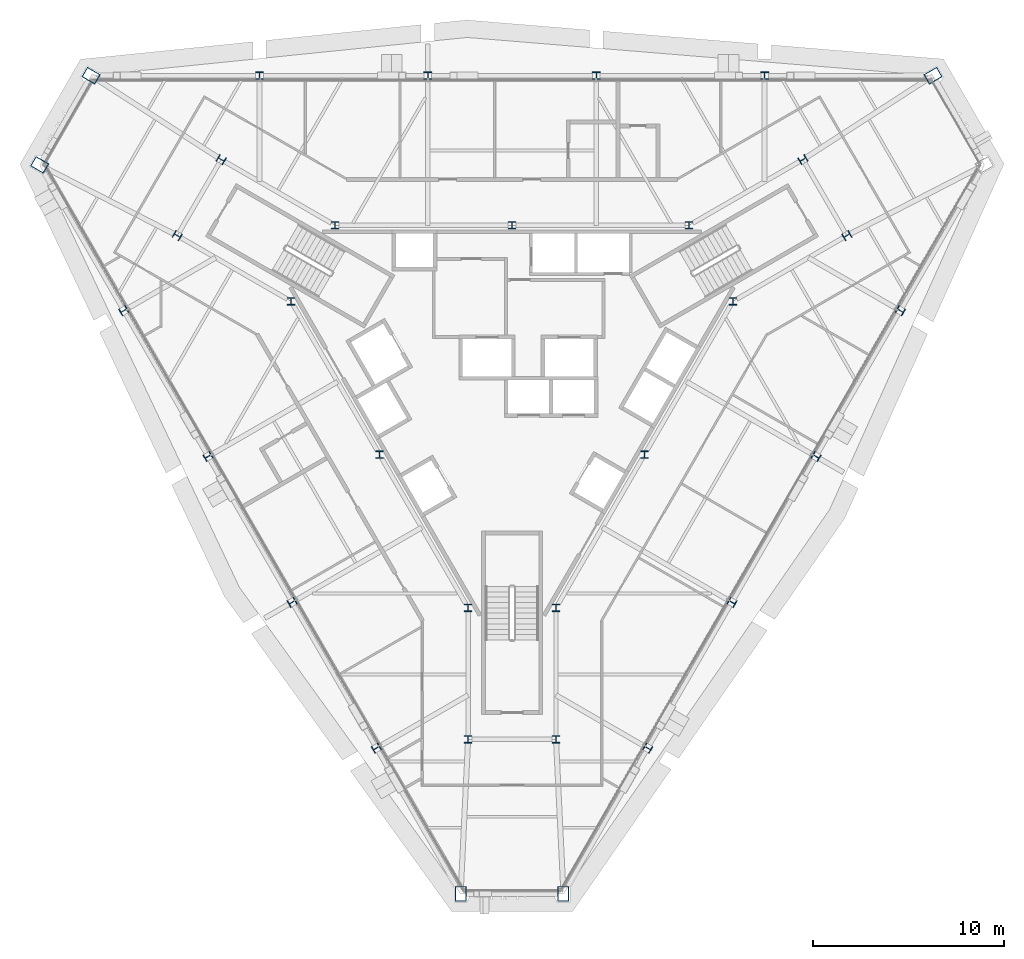
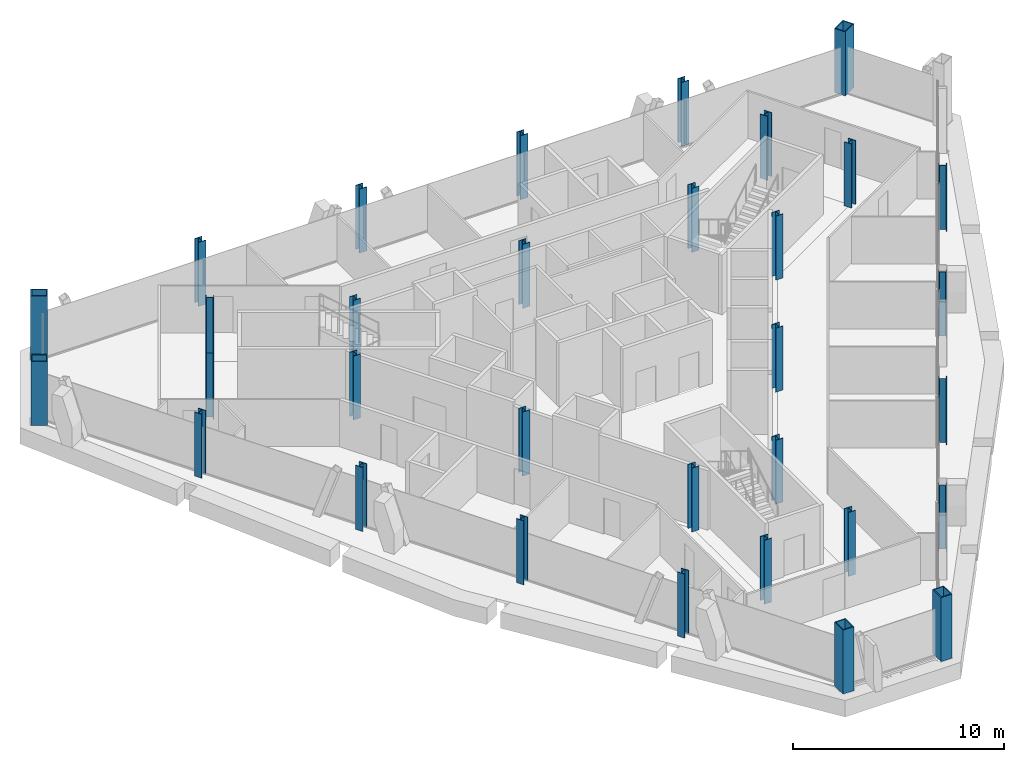
# One storey, part 1 of 14: 32 columns.
"""IFC4 building model written with IfcOpenShell, lengths in metres."""

from ifc_helpers import new_model, si_unit, direction, frame, origin, origin_2d, place, context, subcontext, project, spatial, hollow_rectangle, i_section, extrude, material, material_profile, profile_set, type_object, element, save


model = new_model("IFC4")

# Units and contexts
model_context = context("Model", 3, precision=1e-05, world=origin(), true_north=direction((0.0, 1.0)))
body_context = subcontext(model_context, "Body", "Model", "MODEL_VIEW")
ifc_project = project(units=[si_unit("LENGTHUNIT", "METRE"), si_unit("AREAUNIT", "SQUARE_METRE"), si_unit("VOLUMEUNIT", "CUBIC_METRE"), si_unit("PLANEANGLEUNIT", "RADIAN"), si_unit("MASSUNIT", "GRAM", prefix="KILO")], contexts=[model_context])

# Site, building, storey
site_placement = place(None, origin())
site = spatial("IfcSite", under=ifc_project, at=site_placement, CompositionType="ELEMENT")
building_placement = place(site_placement, origin())
building = spatial("IfcBuilding", under=site, at=building_placement, Name="Verrane Prism Tower", CompositionType="ELEMENT")
storey_placement = place(building_placement, frame((0.0, 0.0, 224.89990234375)))
storey = spatial("IfcBuildingStorey", under=building, at=storey_placement, Name="L56", CompositionType="ELEMENT", Elevation=224.89990234375)

# Columns
ifc_material_1 = material(Name="Steel A992", Category="steel")
ifc_material_profile_1 = material_profile(ifc_material_1, i_section(OverallWidth=0.4013671875, OverallDepth=0.398681640625, WebThickness=0.02490234375, FlangeThickness=0.03955078125, FilletRadius=0.01513671875, at=origin_2d()), Name="W14x211")
ifc_profile_set_1 = profile_set([ifc_material_profile_1], Name="Steel A992")
column_type_1 = type_object("IfcColumnType", Name="Core corner column W14x211", PredefinedType="COLUMN", material=ifc_profile_set_1)
for number, where, z_axis, x_axis, name in (
    (1, (17.52001953125, 7.4599609375, 0.0), (0.0, 0.0, 1.0), (0.5, -0.866025403784, 0.0), "Core corner column CK-NEm L56"),
    (2, (15.219970703125, 11.43994140625, 0.0), (0.0, 0.0, 1.0), (0.5, -0.866025403784, 0.0), "Core corner column CK-NEp L56"),
    (3, (-15.219970703125, 11.43994140625, 0.0), (0.0, 0.0, 1.0), (0.5, 0.866025403784, 0.0), "Core corner column CK-NWm L56"),
    (4, (-17.52001953125, 7.4599609375, 0.0), (0.0, 0.0, 1.0), (0.5, 0.866025403784, 0.0), "Core corner column CK-NWp L56"),
    (5, (-2.300048828125, -18.89990234375, 0.0), (0.0, 0.0, 1.0), (-1.0, 0.0, 0.0), "Core corner column CK-Sm L56"),
    (6, (2.300048828125, -18.89990234375, 0.0), (0.0, 0.0, 1.0), (-1.0, 0.0, 0.0), "Core corner column CK-Sp L56"),
):
    element("IfcColumn", number, at=place(storey_placement, frame(where, z_axis=z_axis, x_axis=x_axis)), inside=storey, type_object=column_type_1, Name=name, PredefinedType="COLUMN", context=body_context, shape_type="SweptSolid", body=[
        extrude(i_section(OverallWidth=0.4013671875, OverallDepth=0.398681640625, WebThickness=0.02490234375, FlangeThickness=0.03955078125, FilletRadius=0.01513671875, at=origin_2d()), origin(), (0.0, 0.0, 1.0), 3.7001953125),
    ])
ifc_material_2 = material(Name="Steel A992", Category="steel")
ifc_material_profile_2 = material_profile(ifc_material_2, i_section(OverallWidth=0.398681640625, OverallDepth=0.385986328125, WebThickness=0.02099609375, FlangeThickness=0.033203125, FilletRadius=0.01513671875, at=origin_2d()), Name="W14x176")
ifc_profile_set_2 = profile_set([ifc_material_profile_2], Name="Steel A992")
column_type_2 = type_object("IfcColumnType", Name="Core side column W14x176", PredefinedType="COLUMN", material=ifc_profile_set_2)
for number, where, z_axis, x_axis, name in (
    (7, (11.56005859375, 4.02001953125, 0.0), (0.0, 0.0, 1.0), (1.0, 0.0, 0.0), "Core side column CC-NEm L56"),
    (8, (9.260009765625, 8.0, 0.0), (0.0, 0.0, 1.0), (1.0, 0.0, 0.0), "Core side column CC-NEp L56"),
    (9, (0.0, 8.0, 0.0), (0.0, 0.0, 1.0), (1.0, 0.0, 0.0), "Core side column CC-N0 L56"),
    (10, (-9.260009765625, 8.0, 0.0), (0.0, 0.0, 1.0), (1.0, 0.0, 0.0), "Core side column CC-NWm L56"),
    (11, (-11.56005859375, 4.02001953125, 0.0), (0.0, 0.0, 1.0), (1.0, 0.0, 0.0), "Core side column CC-NWp L56"),
    (12, (-6.929931640625, -4.0, 0.0), (0.0, 0.0, 1.0), (1.0, 0.0, 0.0), "Core side column CC-SW0 L56"),
    (13, (-2.300048828125, -12.02001953125, 0.0), (0.0, 0.0, 1.0), (1.0, 0.0, 0.0), "Core side column CC-Sm L56"),
    (14, (2.300048828125, -12.02001953125, 0.0), (0.0, 0.0, 1.0), (1.0, 0.0, 0.0), "Core side column CC-Sp L56"),
    (15, (6.929931640625, -4.0, 0.0), (0.0, 0.0, 1.0), (1.0, 0.0, 0.0), "Core side column CC-SE0 L56"),
):
    element("IfcColumn", number, at=place(storey_placement, frame(where, z_axis=z_axis, x_axis=x_axis)), inside=storey, type_object=column_type_2, Name=name, PredefinedType="COLUMN", context=body_context, shape_type="SweptSolid", body=[
        extrude(i_section(OverallWidth=0.398681640625, OverallDepth=0.385986328125, WebThickness=0.02099609375, FlangeThickness=0.033203125, FilletRadius=0.01513671875, at=origin_2d()), origin(), (0.0, 0.0, 1.0), 3.7001953125),
    ])
ifc_material_3 = material(Name="Steel A572 Grade 50", Category="steel")
ifc_material_profile_3 = material_profile(ifc_material_3, hollow_rectangle(XDim=0.60009765625, YDim=0.800048828125, WallThickness=0.050048828125, at=origin_2d()), Name="BOX 800x600x50")
ifc_profile_set_3 = profile_set([ifc_material_profile_3], Name="Steel A572 Grade 50")
column_type_3 = type_object("IfcColumnType", Name="Megacolumn BOX 800x600x50", PredefinedType="COLUMN", material=ifc_profile_set_3)
for number, where, z_axis, x_axis, name in (
    (16, (22.030029296875, 15.830078125, 0.0), (0.0, 0.0, 1.0), (0.5, -0.866025403784, 0.0), "Megacolumn MC-NE.b L56"),
    (17, (-22.030029296875, 15.830078125, 0.0), (0.0, 0.0, 1.0), (0.5, 0.866025403784, 0.0), "Megacolumn MC-NW.a L56"),
    (18, (-24.719970703125, 11.159912109375, 0.0), (0.0, 0.0, 1.0), (0.5, 0.866025403784, 0.0), "Megacolumn MC-NW.b L56"),
    (19, (-2.68994140625, -26.989990234375, 0.0), (0.0, 0.0, 1.0), (-1.0, 0.0, 0.0), "Megacolumn MC-S.a L56"),
    (20, (2.68994140625, -26.989990234375, 0.0), (0.0, 0.0, 1.0), (-1.0, 0.0, 0.0), "Megacolumn MC-S.b L56"),
):
    element("IfcColumn", number, at=place(storey_placement, frame(where, z_axis=z_axis, x_axis=x_axis)), inside=storey, type_object=column_type_3, Name=name, PredefinedType="COLUMN", context=body_context, shape_type="SweptSolid", body=[
        extrude(hollow_rectangle(XDim=0.60009765625, YDim=0.800048828125, WallThickness=0.050048828125, at=origin_2d()), origin(), (0.0, 0.0, 1.0), 3.7001953125),
    ])
ifc_material_4 = material(Name="Steel A992", Category="steel")
ifc_material_profile_4 = material_profile(ifc_material_4, i_section(OverallWidth=0.4013671875, OverallDepth=0.398681640625, WebThickness=0.02490234375, FlangeThickness=0.03955078125, FilletRadius=0.01513671875, at=origin_2d()), Name="W14x211")
ifc_profile_set_4 = profile_set([ifc_material_profile_4], Name="Steel A992")
column_type_4 = type_object("IfcColumnType", Name="Perimeter column W14x211", PredefinedType="COLUMN", material=ifc_profile_set_4)
for number, where, z_axis, x_axis, name in (
    (21, (13.219970703125, 15.830078125, 0.0), (0.0, 0.0, 1.0), (1.0, 0.0, 0.0), "Perimeter column PC-N1 L56"),
    (22, (4.409912109375, 15.830078125, 0.0), (0.0, 0.0, 1.0), (1.0, 0.0, 0.0), "Perimeter column PC-N2 L56"),
    (23, (-4.409912109375, 15.830078125, 0.0), (0.0, 0.0, 1.0), (1.0, 0.0, 0.0), "Perimeter column PC-N3 L56"),
    (24, (-13.219970703125, 15.830078125, 0.0), (0.0, 0.0, 1.0), (1.0, 0.0, 0.0), "Perimeter column PC-N4 L56"),
    (25, (-20.320068359375, 3.530029296875, 0.0), (0.0, 0.0, 1.0), (-0.5, 0.866025403784, 0.0), "Perimeter column PC-SW1 L56"),
    (26, (-15.909912109375, -4.10009765625, 0.0), (0.0, 0.0, 1.0), (-0.5, 0.866025403784, 0.0), "Perimeter column PC-SW2 L56"),
    (27, (-11.510009765625, -11.72998046875, 0.0), (0.0, 0.0, 1.0), (-0.5, 0.866025403784, 0.0), "Perimeter column PC-SW3 L56"),
    (28, (-7.10009765625, -19.360107421875, 0.0), (0.0, 0.0, 1.0), (-0.5, 0.866025403784, 0.0), "Perimeter column PC-SW4 L56"),
    (29, (7.10009765625, -19.360107421875, 0.0), (0.0, 0.0, 1.0), (-0.5, -0.866025403784, 0.0), "Perimeter column PC-SE1 L56"),
    (30, (11.510009765625, -11.72998046875, 0.0), (0.0, 0.0, 1.0), (-0.5, -0.866025403784, 0.0), "Perimeter column PC-SE2 L56"),
    (31, (15.909912109375, -4.10009765625, 0.0), (0.0, 0.0, 1.0), (-0.5, -0.866025403784, 0.0), "Perimeter column PC-SE3 L56"),
    (32, (20.320068359375, 3.530029296875, 0.0), (0.0, 0.0, 1.0), (-0.5, -0.866025403784, 0.0), "Perimeter column PC-SE4 L56"),
):
    element("IfcColumn", number, at=place(storey_placement, frame(where, z_axis=z_axis, x_axis=x_axis)), inside=storey, type_object=column_type_4, Name=name, PredefinedType="COLUMN", context=body_context, shape_type="SweptSolid", body=[
        extrude(i_section(OverallWidth=0.4013671875, OverallDepth=0.398681640625, WebThickness=0.02490234375, FlangeThickness=0.03955078125, FilletRadius=0.01513671875, at=origin_2d()), origin(), (0.0, 0.0, 1.0), 3.7001953125),
    ])

save(model, "model.ifc")
